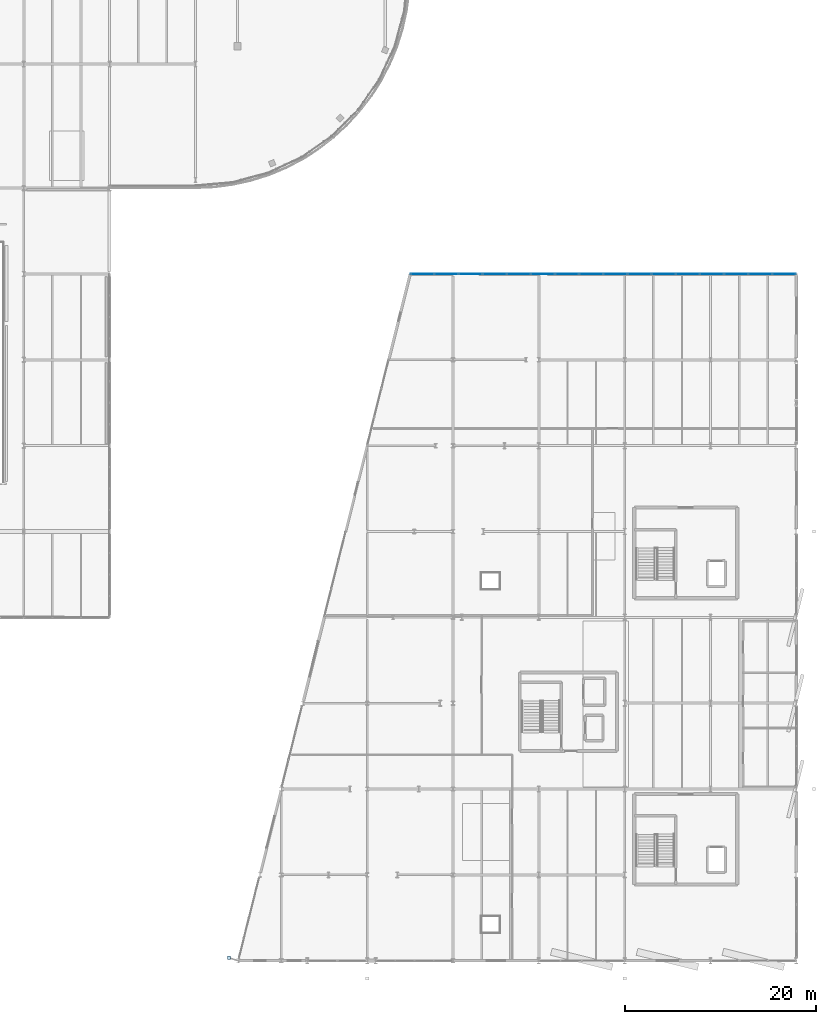
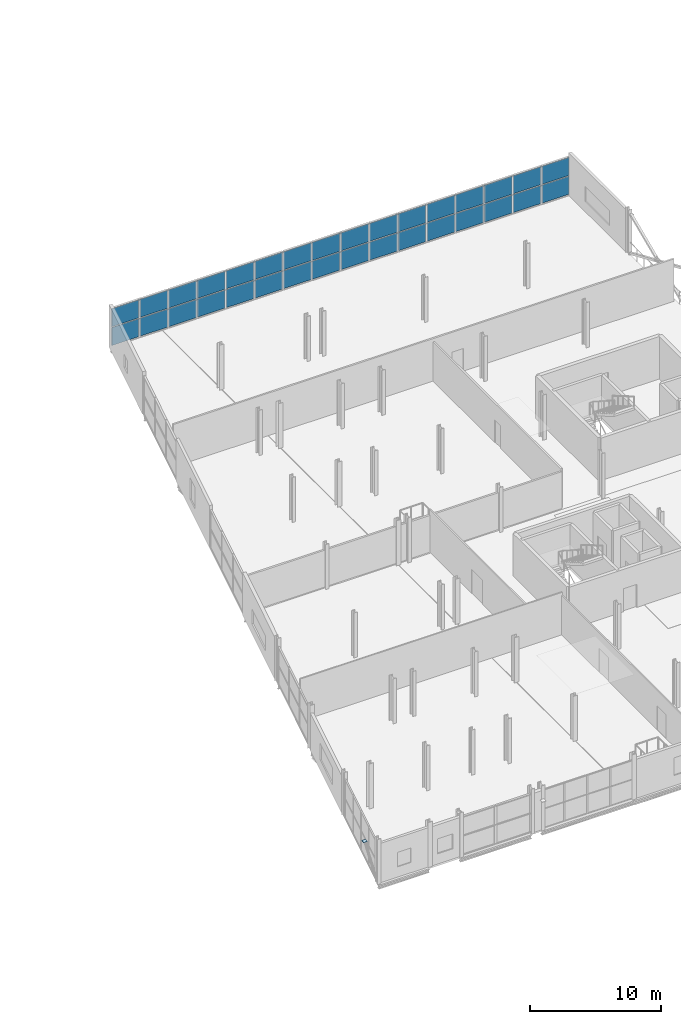
# One storey, part 67 of 88: 33 plates, 1 element without a shape of its own.
"""IFC4 building model written with IfcOpenShell, lengths in metres."""

from ifc_helpers import new_model, si_unit, direction, frame, origin, origin_2d, place, context, subcontext, project, spatial, rectangle, extrude, material, layer, layer_set, type_object, element, aggregate, save


model = new_model("IFC4")

# Units and contexts
model_context = context("Model", 3, precision=1e-05, world=origin(), true_north=direction((0.0, 1.0)))
body_context = subcontext(model_context, "Body", "Model", "MODEL_VIEW")
ifc_project = project(units=[si_unit("LENGTHUNIT", "METRE"), si_unit("AREAUNIT", "SQUARE_METRE"), si_unit("VOLUMEUNIT", "CUBIC_METRE"), si_unit("PLANEANGLEUNIT", "RADIAN"), si_unit("MASSUNIT", "GRAM", prefix="KILO")], contexts=[model_context])

# Site, building, storey
site_placement = place(None, origin())
site = spatial("IfcSite", under=ifc_project, at=site_placement, CompositionType="ELEMENT")
building_placement = place(site_placement, origin())
building = spatial("IfcBuilding", under=site, at=building_placement, Name="Deido Ridge Mobility Hub", CompositionType="ELEMENT")
storey_placement = place(building_placement, frame((0.0, 0.0, 16.800048828125)))
storey = spatial("IfcBuildingStorey", under=building, at=storey_placement, Name="L04", CompositionType="ELEMENT", Elevation=16.800048828125)

# Plate
ifc_material_1 = material(Name="Steel S355J2 EN 10025-2", Category="steel")
ifc_layer_1 = layer(ifc_material_1, 0.02197265625, Name="Steel S355J2 EN 10025-2")
ifc_layer_set_1 = layer_set([ifc_layer_1], Name="Steel S355J2 EN 10025-2")
plate_type_1 = type_object("IfcPlateType", Name="PLT-CAP-22", PredefinedType="USERDEFINED", material=ifc_layer_set_1)
plate_1_placement = place(storey_placement, frame((120.5, 0.300048828125, 4.0390625), z_axis=(0.0, 0.0, 1.0), x_axis=(1.0, 0.0, 0.0)))
element("IfcPlate", 1, at=plate_1_placement, inside=storey, type_object=plate_type_1, Name="Diagrid node cap plate EC2 163", ObjectType="END CAP PLATE", PredefinedType="USERDEFINED", context=body_context, shape_type="SweptSolid", body=[
    extrude(rectangle(XDim=0.340087890625, YDim=0.340087890625, at=origin_2d()), origin(), (0.0, 0.0, 1.0), 0.02197265625),
])

# Curtain wall, plates
ifc_material_2 = material(Name="Anodised aluminium EN AW-6063 T6", Category="aluminium")
ifc_layer_2 = layer(ifc_material_2, 0.132080078125, Name="Anodised aluminium EN AW-6063 T6")
ifc_layer_set_2 = layer_set([ifc_layer_2], Name="Anodised aluminium EN AW-6063 T6")
curtain_wall_type = type_object("IfcCurtainWallType", Name="CW-GS-1", PredefinedType="USERDEFINED", material=ifc_layer_set_2)
curtain_wall_placement = place(storey_placement, origin())
curtain_wall = element("IfcCurtainWall", 2, at=curtain_wall_placement, inside=storey, type_object=curtain_wall_type, Name="Unitised curtain wall GS1", ObjectType="GLAZED SCREEN", PredefinedType="USERDEFINED")
ifc_material_3 = material(Name="Laminated solar-control low-E glass", Category="glass")
ifc_layer_3 = layer(ifc_material_3, 0.041015625, Name="Laminated solar-control low-E glass")
ifc_layer_set_3 = layer_set([ifc_layer_3], Name="Laminated solar-control low-E glass")
plate_type_2 = type_object("IfcPlateType", Name="PLT-CWP-41", PredefinedType="CURTAIN_PANEL", material=ifc_layer_set_3)
plate_2_placement = place(storey_placement, frame((140.786865234375, 72.0, 0.0849609375), z_axis=(0.0, 0.0, 1.0), x_axis=(1.0, 0.0, 0.0)))
plate_2 = element("IfcPlate", 3, at=plate_2_placement, type_object=plate_type_2, Name="GS1 panel 1.1", PredefinedType="CURTAIN_PANEL", context=body_context, shape_type="SweptSolid", body=[
    extrude(rectangle(XDim=2.40380859375, YDim=0.041015625, at=origin_2d()), origin(), (0.0, 0.0, 1.0), 1.672607421875),
])
plate_3_placement = place(storey_placement, frame((140.786865234375, 72.0, 1.84228515625), z_axis=(0.0, 0.0, 1.0), x_axis=(1.0, 0.0, 0.0)))
plate_3 = element("IfcPlate", 4, at=plate_3_placement, type_object=plate_type_2, Name="GS1 panel 1.2", PredefinedType="CURTAIN_PANEL", context=body_context, shape_type="SweptSolid", body=[
    extrude(rectangle(XDim=2.40380859375, YDim=0.041015625, at=origin_2d()), origin(), (0.0, 0.0, 1.0), 1.672607421875),
])
plate_4_placement = place(storey_placement, frame((143.296875, 72.0, 0.0849609375), z_axis=(0.0, 0.0, 1.0), x_axis=(1.0, 0.0, 0.0)))
plate_4 = element("IfcPlate", 5, at=plate_4_placement, type_object=plate_type_2, Name="GS1 panel 2.1", PredefinedType="CURTAIN_PANEL", context=body_context, shape_type="SweptSolid", body=[
    extrude(rectangle(XDim=2.4462890625, YDim=0.041015625, at=origin_2d()), origin(), (0.0, 0.0, 1.0), 1.672607421875),
])
plate_5_placement = place(storey_placement, frame((143.296875, 72.0, 1.84228515625), z_axis=(0.0, 0.0, 1.0), x_axis=(1.0, 0.0, 0.0)))
plate_5 = element("IfcPlate", 6, at=plate_5_placement, type_object=plate_type_2, Name="GS1 panel 2.2", PredefinedType="CURTAIN_PANEL", context=body_context, shape_type="SweptSolid", body=[
    extrude(rectangle(XDim=2.4462890625, YDim=0.041015625, at=origin_2d()), origin(), (0.0, 0.0, 1.0), 1.672607421875),
])
plate_6_placement = place(storey_placement, frame((145.828125, 72.0, 0.0849609375), z_axis=(0.0, 0.0, 1.0), x_axis=(1.0, 0.0, 0.0)))
plate_6 = element("IfcPlate", 7, at=plate_6_placement, type_object=plate_type_2, Name="GS1 panel 3.1", PredefinedType="CURTAIN_PANEL", context=body_context, shape_type="SweptSolid", body=[
    extrude(rectangle(XDim=2.4462890625, YDim=0.041015625, at=origin_2d()), origin(), (0.0, 0.0, 1.0), 1.672607421875),
])
plate_7_placement = place(storey_placement, frame((145.828125, 72.0, 1.84228515625), z_axis=(0.0, 0.0, 1.0), x_axis=(1.0, 0.0, 0.0)))
plate_7 = element("IfcPlate", 8, at=plate_7_placement, type_object=plate_type_2, Name="GS1 panel 3.2", PredefinedType="CURTAIN_PANEL", context=body_context, shape_type="SweptSolid", body=[
    extrude(rectangle(XDim=2.4462890625, YDim=0.041015625, at=origin_2d()), origin(), (0.0, 0.0, 1.0), 1.672607421875),
])
plate_8_placement = place(storey_placement, frame((148.359375, 72.0, 0.0849609375), z_axis=(0.0, 0.0, 1.0), x_axis=(1.0, 0.0, 0.0)))
plate_8 = element("IfcPlate", 9, at=plate_8_placement, type_object=plate_type_2, Name="GS1 panel 4.1", PredefinedType="CURTAIN_PANEL", context=body_context, shape_type="SweptSolid", body=[
    extrude(rectangle(XDim=2.4462890625, YDim=0.041015625, at=origin_2d()), origin(), (0.0, 0.0, 1.0), 1.672607421875),
])
plate_9_placement = place(storey_placement, frame((148.359375, 72.0, 1.84228515625), z_axis=(0.0, 0.0, 1.0), x_axis=(1.0, 0.0, 0.0)))
plate_9 = element("IfcPlate", 10, at=plate_9_placement, type_object=plate_type_2, Name="GS1 panel 4.2", PredefinedType="CURTAIN_PANEL", context=body_context, shape_type="SweptSolid", body=[
    extrude(rectangle(XDim=2.4462890625, YDim=0.041015625, at=origin_2d()), origin(), (0.0, 0.0, 1.0), 1.672607421875),
])
plate_10_placement = place(storey_placement, frame((150.890625, 72.0, 0.0849609375), z_axis=(0.0, 0.0, 1.0), x_axis=(1.0, 0.0, 0.0)))
plate_10 = element("IfcPlate", 11, at=plate_10_placement, type_object=plate_type_2, Name="GS1 panel 5.1", PredefinedType="CURTAIN_PANEL", context=body_context, shape_type="SweptSolid", body=[
    extrude(rectangle(XDim=2.4462890625, YDim=0.041015625, at=origin_2d()), origin(), (0.0, 0.0, 1.0), 1.672607421875),
])
plate_11_placement = place(storey_placement, frame((150.890625, 72.0, 1.84228515625), z_axis=(0.0, 0.0, 1.0), x_axis=(1.0, 0.0, 0.0)))
plate_11 = element("IfcPlate", 12, at=plate_11_placement, type_object=plate_type_2, Name="GS1 panel 5.2", PredefinedType="CURTAIN_PANEL", context=body_context, shape_type="SweptSolid", body=[
    extrude(rectangle(XDim=2.4462890625, YDim=0.041015625, at=origin_2d()), origin(), (0.0, 0.0, 1.0), 1.672607421875),
])
plate_12_placement = place(storey_placement, frame((153.421875, 72.0, 0.0849609375), z_axis=(0.0, 0.0, 1.0), x_axis=(1.0, 0.0, 0.0)))
plate_12 = element("IfcPlate", 13, at=plate_12_placement, type_object=plate_type_2, Name="GS1 panel 6.1", PredefinedType="CURTAIN_PANEL", context=body_context, shape_type="SweptSolid", body=[
    extrude(rectangle(XDim=2.4462890625, YDim=0.041015625, at=origin_2d()), origin(), (0.0, 0.0, 1.0), 1.672607421875),
])
plate_13_placement = place(storey_placement, frame((153.421875, 72.0, 1.84228515625), z_axis=(0.0, 0.0, 1.0), x_axis=(1.0, 0.0, 0.0)))
plate_13 = element("IfcPlate", 14, at=plate_13_placement, type_object=plate_type_2, Name="GS1 panel 6.2", PredefinedType="CURTAIN_PANEL", context=body_context, shape_type="SweptSolid", body=[
    extrude(rectangle(XDim=2.4462890625, YDim=0.041015625, at=origin_2d()), origin(), (0.0, 0.0, 1.0), 1.672607421875),
])
plate_14_placement = place(storey_placement, frame((155.953125, 72.0, 0.0849609375), z_axis=(0.0, 0.0, 1.0), x_axis=(1.0, 0.0, 0.0)))
plate_14 = element("IfcPlate", 15, at=plate_14_placement, type_object=plate_type_2, Name="GS1 panel 7.1", PredefinedType="CURTAIN_PANEL", context=body_context, shape_type="SweptSolid", body=[
    extrude(rectangle(XDim=2.4462890625, YDim=0.041015625, at=origin_2d()), origin(), (0.0, 0.0, 1.0), 1.672607421875),
])
plate_15_placement = place(storey_placement, frame((155.953125, 72.0, 1.84228515625), z_axis=(0.0, 0.0, 1.0), x_axis=(1.0, 0.0, 0.0)))
plate_15 = element("IfcPlate", 16, at=plate_15_placement, type_object=plate_type_2, Name="GS1 panel 7.2", PredefinedType="CURTAIN_PANEL", context=body_context, shape_type="SweptSolid", body=[
    extrude(rectangle(XDim=2.4462890625, YDim=0.041015625, at=origin_2d()), origin(), (0.0, 0.0, 1.0), 1.672607421875),
])
plate_16_placement = place(storey_placement, frame((158.484375, 72.0, 0.0849609375), z_axis=(0.0, 0.0, 1.0), x_axis=(1.0, 0.0, 0.0)))
plate_16 = element("IfcPlate", 17, at=plate_16_placement, type_object=plate_type_2, Name="GS1 panel 8.1", PredefinedType="CURTAIN_PANEL", context=body_context, shape_type="SweptSolid", body=[
    extrude(rectangle(XDim=2.4462890625, YDim=0.041015625, at=origin_2d()), origin(), (0.0, 0.0, 1.0), 1.672607421875),
])
plate_17_placement = place(storey_placement, frame((158.484375, 72.0, 1.84228515625), z_axis=(0.0, 0.0, 1.0), x_axis=(1.0, 0.0, 0.0)))
plate_17 = element("IfcPlate", 18, at=plate_17_placement, type_object=plate_type_2, Name="GS1 panel 8.2", PredefinedType="CURTAIN_PANEL", context=body_context, shape_type="SweptSolid", body=[
    extrude(rectangle(XDim=2.4462890625, YDim=0.041015625, at=origin_2d()), origin(), (0.0, 0.0, 1.0), 1.672607421875),
])
plate_18_placement = place(storey_placement, frame((161.015625, 72.0, 0.0849609375), z_axis=(0.0, 0.0, 1.0), x_axis=(1.0, 0.0, 0.0)))
plate_18 = element("IfcPlate", 19, at=plate_18_placement, type_object=plate_type_2, Name="GS1 panel 9.1", PredefinedType="CURTAIN_PANEL", context=body_context, shape_type="SweptSolid", body=[
    extrude(rectangle(XDim=2.4462890625, YDim=0.041015625, at=origin_2d()), origin(), (0.0, 0.0, 1.0), 1.672607421875),
])
plate_19_placement = place(storey_placement, frame((161.015625, 72.0, 1.84228515625), z_axis=(0.0, 0.0, 1.0), x_axis=(1.0, 0.0, 0.0)))
plate_19 = element("IfcPlate", 20, at=plate_19_placement, type_object=plate_type_2, Name="GS1 panel 9.2", PredefinedType="CURTAIN_PANEL", context=body_context, shape_type="SweptSolid", body=[
    extrude(rectangle(XDim=2.4462890625, YDim=0.041015625, at=origin_2d()), origin(), (0.0, 0.0, 1.0), 1.672607421875),
])
plate_20_placement = place(storey_placement, frame((163.546875, 72.0, 0.0849609375), z_axis=(0.0, 0.0, 1.0), x_axis=(1.0, 0.0, 0.0)))
plate_20 = element("IfcPlate", 21, at=plate_20_placement, type_object=plate_type_2, Name="GS1 panel 10.1", PredefinedType="CURTAIN_PANEL", context=body_context, shape_type="SweptSolid", body=[
    extrude(rectangle(XDim=2.4462890625, YDim=0.041015625, at=origin_2d()), origin(), (0.0, 0.0, 1.0), 1.672607421875),
])
plate_21_placement = place(storey_placement, frame((163.546875, 72.0, 1.84228515625), z_axis=(0.0, 0.0, 1.0), x_axis=(1.0, 0.0, 0.0)))
plate_21 = element("IfcPlate", 22, at=plate_21_placement, type_object=plate_type_2, Name="GS1 panel 10.2", PredefinedType="CURTAIN_PANEL", context=body_context, shape_type="SweptSolid", body=[
    extrude(rectangle(XDim=2.4462890625, YDim=0.041015625, at=origin_2d()), origin(), (0.0, 0.0, 1.0), 1.672607421875),
])
plate_22_placement = place(storey_placement, frame((166.078125, 72.0, 0.0849609375), z_axis=(0.0, 0.0, 1.0), x_axis=(1.0, 0.0, 0.0)))
plate_22 = element("IfcPlate", 23, at=plate_22_placement, type_object=plate_type_2, Name="GS1 panel 11.1", PredefinedType="CURTAIN_PANEL", context=body_context, shape_type="SweptSolid", body=[
    extrude(rectangle(XDim=2.4462890625, YDim=0.041015625, at=origin_2d()), origin(), (0.0, 0.0, 1.0), 1.672607421875),
])
plate_23_placement = place(storey_placement, frame((166.078125, 72.0, 1.84228515625), z_axis=(0.0, 0.0, 1.0), x_axis=(1.0, 0.0, 0.0)))
plate_23 = element("IfcPlate", 24, at=plate_23_placement, type_object=plate_type_2, Name="GS1 panel 11.2", PredefinedType="CURTAIN_PANEL", context=body_context, shape_type="SweptSolid", body=[
    extrude(rectangle(XDim=2.4462890625, YDim=0.041015625, at=origin_2d()), origin(), (0.0, 0.0, 1.0), 1.672607421875),
])
plate_24_placement = place(storey_placement, frame((168.609375, 72.0, 0.0849609375), z_axis=(0.0, 0.0, 1.0), x_axis=(1.0, 0.0, 0.0)))
plate_24 = element("IfcPlate", 25, at=plate_24_placement, type_object=plate_type_2, Name="GS1 panel 12.1", PredefinedType="CURTAIN_PANEL", context=body_context, shape_type="SweptSolid", body=[
    extrude(rectangle(XDim=2.4462890625, YDim=0.041015625, at=origin_2d()), origin(), (0.0, 0.0, 1.0), 1.672607421875),
])
plate_25_placement = place(storey_placement, frame((168.609375, 72.0, 1.84228515625), z_axis=(0.0, 0.0, 1.0), x_axis=(1.0, 0.0, 0.0)))
plate_25 = element("IfcPlate", 26, at=plate_25_placement, type_object=plate_type_2, Name="GS1 panel 12.2", PredefinedType="CURTAIN_PANEL", context=body_context, shape_type="SweptSolid", body=[
    extrude(rectangle(XDim=2.4462890625, YDim=0.041015625, at=origin_2d()), origin(), (0.0, 0.0, 1.0), 1.672607421875),
])
plate_26_placement = place(storey_placement, frame((171.140625, 72.0, 0.0849609375), z_axis=(0.0, 0.0, 1.0), x_axis=(1.0, 0.0, 0.0)))
plate_26 = element("IfcPlate", 27, at=plate_26_placement, type_object=plate_type_2, Name="GS1 panel 13.1", PredefinedType="CURTAIN_PANEL", context=body_context, shape_type="SweptSolid", body=[
    extrude(rectangle(XDim=2.4462890625, YDim=0.041015625, at=origin_2d()), origin(), (0.0, 0.0, 1.0), 1.672607421875),
])
plate_27_placement = place(storey_placement, frame((171.140625, 72.0, 1.84228515625), z_axis=(0.0, 0.0, 1.0), x_axis=(1.0, 0.0, 0.0)))
plate_27 = element("IfcPlate", 28, at=plate_27_placement, type_object=plate_type_2, Name="GS1 panel 13.2", PredefinedType="CURTAIN_PANEL", context=body_context, shape_type="SweptSolid", body=[
    extrude(rectangle(XDim=2.4462890625, YDim=0.041015625, at=origin_2d()), origin(), (0.0, 0.0, 1.0), 1.672607421875),
])
plate_28_placement = place(storey_placement, frame((173.671875, 72.0, 0.0849609375), z_axis=(0.0, 0.0, 1.0), x_axis=(1.0, 0.0, 0.0)))
plate_28 = element("IfcPlate", 29, at=plate_28_placement, type_object=plate_type_2, Name="GS1 panel 14.1", PredefinedType="CURTAIN_PANEL", context=body_context, shape_type="SweptSolid", body=[
    extrude(rectangle(XDim=2.4462890625, YDim=0.041015625, at=origin_2d()), origin(), (0.0, 0.0, 1.0), 1.672607421875),
])
plate_29_placement = place(storey_placement, frame((173.671875, 72.0, 1.84228515625), z_axis=(0.0, 0.0, 1.0), x_axis=(1.0, 0.0, 0.0)))
plate_29 = element("IfcPlate", 30, at=plate_29_placement, type_object=plate_type_2, Name="GS1 panel 14.2", PredefinedType="CURTAIN_PANEL", context=body_context, shape_type="SweptSolid", body=[
    extrude(rectangle(XDim=2.4462890625, YDim=0.041015625, at=origin_2d()), origin(), (0.0, 0.0, 1.0), 1.672607421875),
])
plate_30_placement = place(storey_placement, frame((176.203125, 72.0, 0.0849609375), z_axis=(0.0, 0.0, 1.0), x_axis=(1.0, 0.0, 0.0)))
plate_30 = element("IfcPlate", 31, at=plate_30_placement, type_object=plate_type_2, Name="GS1 panel 15.1", PredefinedType="CURTAIN_PANEL", context=body_context, shape_type="SweptSolid", body=[
    extrude(rectangle(XDim=2.4462890625, YDim=0.041015625, at=origin_2d()), origin(), (0.0, 0.0, 1.0), 1.672607421875),
])
plate_31_placement = place(storey_placement, frame((176.203125, 72.0, 1.84228515625), z_axis=(0.0, 0.0, 1.0), x_axis=(1.0, 0.0, 0.0)))
plate_31 = element("IfcPlate", 32, at=plate_31_placement, type_object=plate_type_2, Name="GS1 panel 15.2", PredefinedType="CURTAIN_PANEL", context=body_context, shape_type="SweptSolid", body=[
    extrude(rectangle(XDim=2.4462890625, YDim=0.041015625, at=origin_2d()), origin(), (0.0, 0.0, 1.0), 1.672607421875),
])
plate_32_placement = place(storey_placement, frame((178.713134765625, 72.0, 0.0849609375), z_axis=(0.0, 0.0, 1.0), x_axis=(1.0, 0.0, 0.0)))
plate_32 = element("IfcPlate", 33, at=plate_32_placement, type_object=plate_type_2, Name="GS1 panel 16.1", PredefinedType="CURTAIN_PANEL", context=body_context, shape_type="SweptSolid", body=[
    extrude(rectangle(XDim=2.40380859375, YDim=0.041015625, at=origin_2d()), origin(), (0.0, 0.0, 1.0), 1.672607421875),
])
plate_33_placement = place(storey_placement, frame((178.713134765625, 72.0, 1.84228515625), z_axis=(0.0, 0.0, 1.0), x_axis=(1.0, 0.0, 0.0)))
plate_33 = element("IfcPlate", 34, at=plate_33_placement, type_object=plate_type_2, Name="GS1 panel 16.2", PredefinedType="CURTAIN_PANEL", context=body_context, shape_type="SweptSolid", body=[
    extrude(rectangle(XDim=2.40380859375, YDim=0.041015625, at=origin_2d()), origin(), (0.0, 0.0, 1.0), 1.672607421875),
])
aggregate(curtain_wall, [plate_2, plate_3, plate_4, plate_5, plate_6, plate_7, plate_8, plate_9, plate_10, plate_11, plate_12, plate_13, plate_14, plate_15, plate_16, plate_17, plate_18, plate_19, plate_20, plate_21, plate_22, plate_23, plate_24, plate_25, plate_26, plate_27, plate_28, plate_29, plate_30, plate_31, plate_32, plate_33])

save(model, "model.ifc")
